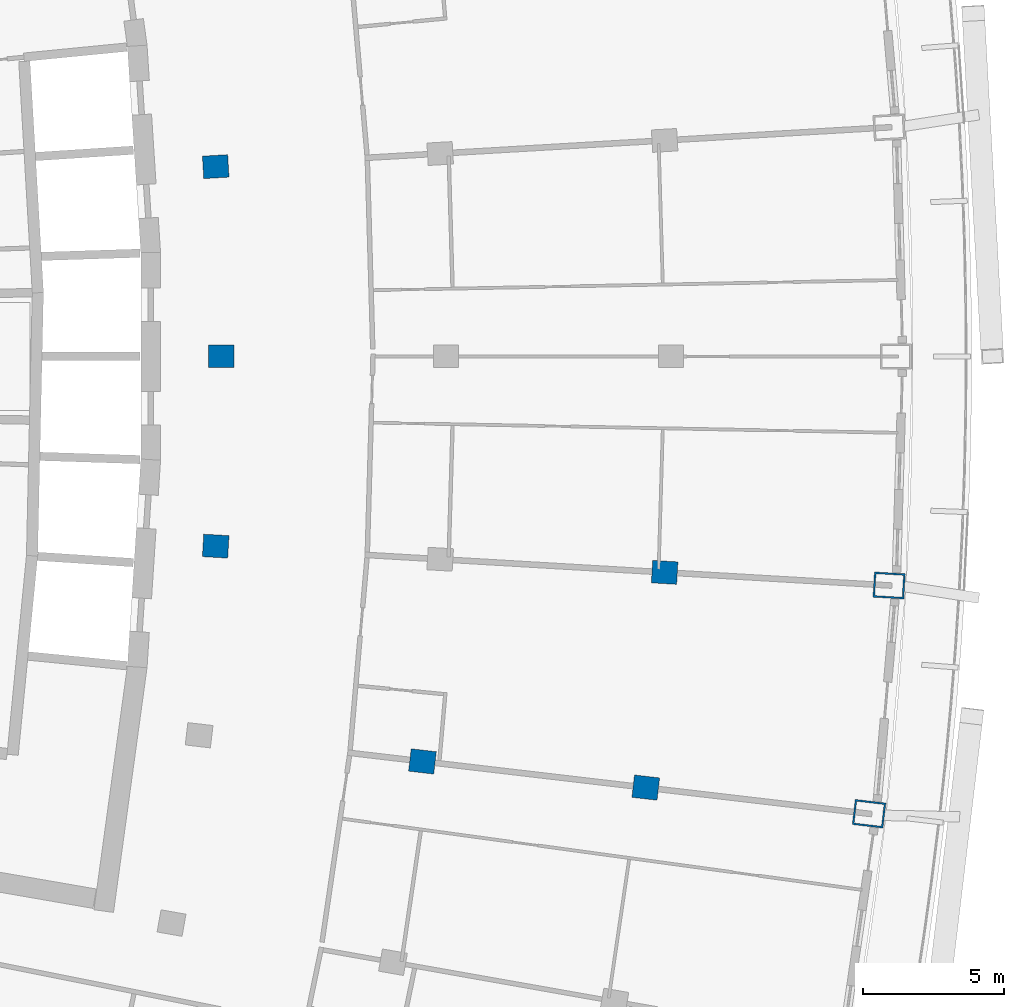
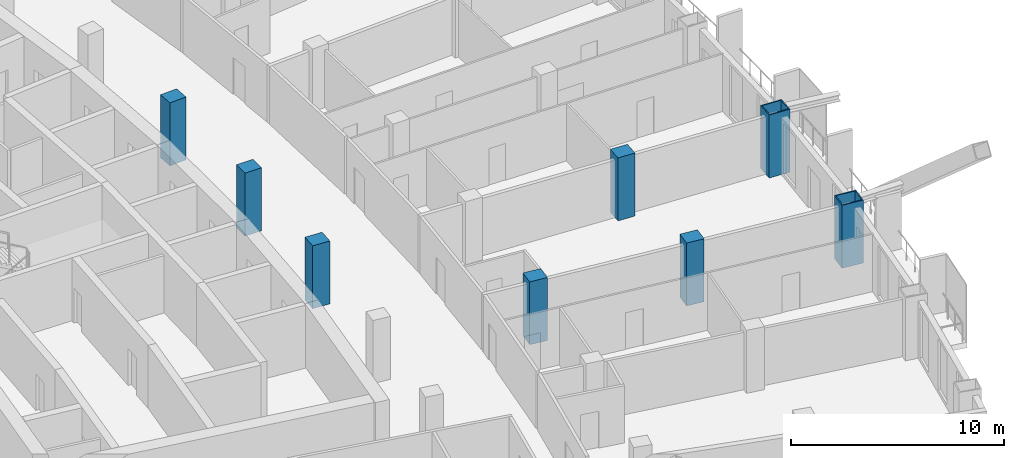
# One storey, part 4 of 20: 8 columns.
"""IFC4 building model written with IfcOpenShell, lengths in metres."""

from ifc_helpers import new_model, si_unit, direction, frame, origin, origin_2d, place, context, subcontext, project, spatial, rectangle, hollow_rectangle, extrude, material, material_profile, profile_set, type_object, element, save


model = new_model("IFC4")

# Units and contexts
model_context = context("Model", 3, precision=1e-05, world=origin(), true_north=direction((0.0, 1.0)))
body_context = subcontext(model_context, "Body", "Model", "MODEL_VIEW")
ifc_project = project(units=[si_unit("LENGTHUNIT", "METRE"), si_unit("AREAUNIT", "SQUARE_METRE"), si_unit("VOLUMEUNIT", "CUBIC_METRE"), si_unit("PLANEANGLEUNIT", "RADIAN"), si_unit("MASSUNIT", "GRAM", prefix="KILO")], contexts=[model_context])

# Site, building, storey
site_placement = place(None, origin())
site = spatial("IfcSite", under=ifc_project, at=site_placement, CompositionType="ELEMENT")
building_placement = place(site_placement, origin())
building = spatial("IfcBuilding", under=site, at=building_placement, Name="Alderwake Tower", CompositionType="ELEMENT")
storey_placement = place(building_placement, frame((0.0, 0.0, 149.60009765625)))
storey = spatial("IfcBuildingStorey", under=building, at=storey_placement, Name="L36", CompositionType="ELEMENT", Elevation=149.60009765625)

# Columns
ifc_material_1 = material(Name="Concrete C70/85", Category="concrete")
ifc_material_profile_1 = material_profile(ifc_material_1, rectangle(XDim=0.800048828125, YDim=0.89990234375, at=origin_2d()), Name="RC 900X800")
ifc_profile_set_1 = profile_set([ifc_material_profile_1], Name="Concrete C70/85")
column_type_1 = type_object("IfcColumnType", Name="Interior column Z3", PredefinedType="COLUMN", material=ifc_profile_set_1)
for number, where, z_axis, x_axis, name in (
    (1, (42.95849609375, 46.58935546875, 0.0), (0.0, 0.0, 1.0), (0.116402054316, 0.993202175668, 0.0), "Column R05-C3"),
    (2, (50.904052734375, 45.658203125, 0.0), (0.0, 0.0, 1.0), (0.116402054316, 0.993202175668, 0.0), "Column R05-C4"),
    (3, (35.60302734375, 54.248779296875, 0.0), (0.0, 0.0, 1.0), (0.058301061284, 0.998299046505, 0.0), "Column R06-C2"),
    (4, (51.57568359375, 53.31591796875, 0.0), (0.0, 0.0, 1.0), (0.058301061284, 0.998299046505, 0.0), "Column R06-C4"),
    (5, (35.800048828125, 61.0, 0.0), (0.0, 0.0, 1.0), (0.0, 1.0, 0.0), "Column R07-C2"),
    (6, (35.60302734375, 67.751220703125, 0.0), (0.0, 0.0, 1.0), (-0.058301061284, 0.998299046505, 0.0), "Column R08-C2"),
):
    element("IfcColumn", number, at=place(storey_placement, frame(where, z_axis=z_axis, x_axis=x_axis)), inside=storey, type_object=column_type_1, Name=name, PredefinedType="COLUMN", context=body_context, shape_type="SweptSolid", body=[
        extrude(rectangle(XDim=0.800048828125, YDim=0.89990234375, at=origin_2d()), origin(), (0.0, 0.0, 1.0), 3.599853515625),
    ])
ifc_material_2 = material(Name="Steel ASTM A572 Grade 50 concrete filled C70/85", Category="concrete")
ifc_material_profile_2 = material_profile(ifc_material_2, hollow_rectangle(XDim=0.89990234375, YDim=1.10009765625, WallThickness=0.06005859375, at=origin_2d()), Name="BOX 1100X900X60")
ifc_profile_set_2 = profile_set([ifc_material_profile_2], Name="Steel ASTM A572 Grade 50 concrete filled C70/85")
column_type_2 = type_object("IfcColumnType", Name="Perimeter column Z3", PredefinedType="COLUMN", material=ifc_profile_set_2)
for number, where, z_axis, x_axis, name in (
    (7, (58.849609375, 44.72705078125, 0.0), (0.0, 0.0, 1.0), (0.116402054316, 0.993202175668, 0.0), "Column R05-C5"),
    (8, (59.562255859375, 52.849609375, 0.0), (0.0, 0.0, 1.0), (0.058301061284, 0.998299046505, 0.0), "Column R06-C5"),
):
    element("IfcColumn", number, at=place(storey_placement, frame(where, z_axis=z_axis, x_axis=x_axis)), inside=storey, type_object=column_type_2, Name=name, PredefinedType="COLUMN", context=body_context, shape_type="SweptSolid", body=[
        extrude(hollow_rectangle(XDim=0.89990234375, YDim=1.10009765625, WallThickness=0.06005859375, at=origin_2d()), origin(), (0.0, 0.0, 1.0), 3.599853515625),
    ])

save(model, "model.ifc")
